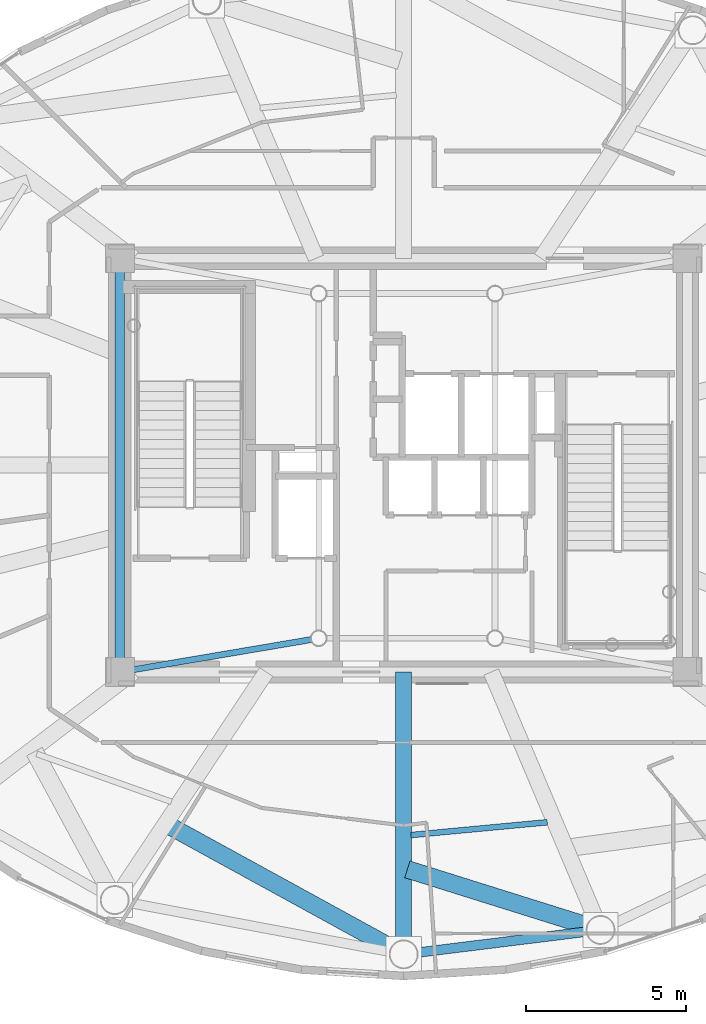
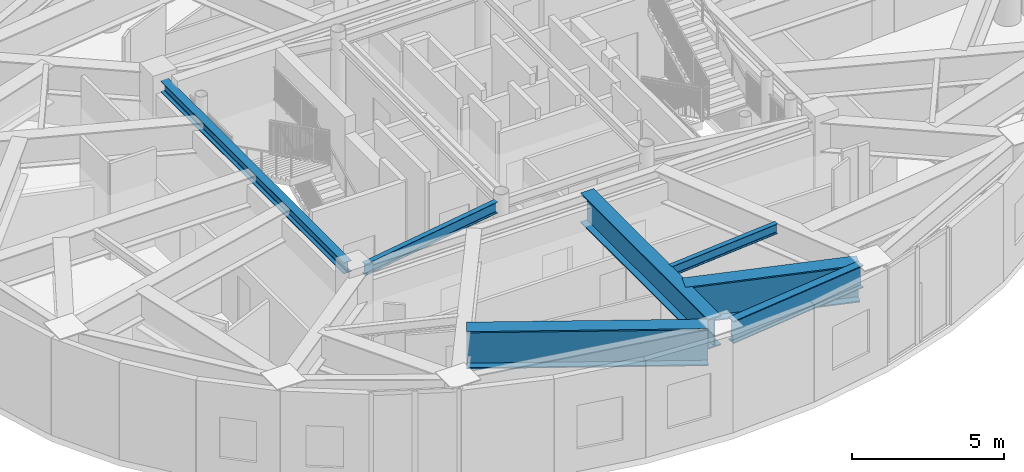
# One storey, part 5 of 23: 7 beams.
"""IFC4 building model written with IfcOpenShell, lengths in metres."""

from ifc_helpers import new_model, si_unit, direction, frame, origin, origin_2d, place, context, subcontext, project, spatial, i_section, extrude, material, material_profile, profile_set, type_object, element, save


model = new_model("IFC4")

# Units and contexts
model_context = context("Model", 3, precision=1e-05, world=origin(), true_north=direction((0.0, 1.0)))
body_context = subcontext(model_context, "Body", "Model", "MODEL_VIEW")
ifc_project = project(units=[si_unit("LENGTHUNIT", "METRE"), si_unit("AREAUNIT", "SQUARE_METRE"), si_unit("VOLUMEUNIT", "CUBIC_METRE"), si_unit("PLANEANGLEUNIT", "RADIAN"), si_unit("MASSUNIT", "GRAM", prefix="KILO")], contexts=[model_context])

# Site, building, storey
site_placement = place(None, origin())
site = spatial("IfcSite", under=ifc_project, at=site_placement, CompositionType="ELEMENT")
building_placement = place(site_placement, origin())
building = spatial("IfcBuilding", under=site, at=building_placement, Name="Linh Dai School and Residence Tower", CompositionType="ELEMENT")
storey_placement = place(building_placement, frame((0.0, 0.0, 359.39990234375)))
storey = spatial("IfcBuildingStorey", under=building, at=storey_placement, Name="L89", CompositionType="ELEMENT", Elevation=359.39990234375)

# Beams
ifc_material = material(Name="Structural Steel S355JR", Category="steel")
ifc_material_profile_1 = material_profile(ifc_material, i_section(OverallWidth=0.300048828125, OverallDepth=0.449951171875, WebThickness=0.013916015625, FlangeThickness=0.02587890625, FilletRadius=0.027099609375, at=origin_2d()), Name="HEB 450")
ifc_profile_set_1 = profile_set([ifc_material_profile_1], Name="Structural Steel S355JR")
beam_type_1 = type_object("IfcBeamType", Name="BM-RG45", PredefinedType="BEAM", material=ifc_profile_set_1)
beam_1_placement = place(storey_placement, frame((27.14990234375, 33.030029296875, 3.675048828125), z_axis=(0.0, -1.0, 0.0), x_axis=(1.0, 0.0, 0.0)))
element("IfcBeam", 1, at=beam_1_placement, inside=storey, type_object=beam_type_1, Name="L89 Core Perimeter Coupling Girder 4", PredefinedType="BEAM", context=body_context, shape_type="SweptSolid", body=[
    extrude(i_section(OverallWidth=0.300048828125, OverallDepth=0.449951171875, WebThickness=0.013916015625, FlangeThickness=0.02587890625, FilletRadius=0.027099609375, at=origin_2d()), origin(), (0.0, 0.0, 1.0), 12.06005859375),
])
ifc_material_profile_2 = material_profile(ifc_material, i_section(OverallWidth=0.300048828125, OverallDepth=0.89990234375, WebThickness=0.0185546875, FlangeThickness=0.034912109375, FilletRadius=0.030029296875, at=origin_2d()), Name="HEB 900")
ifc_profile_set_2 = profile_set([ifc_material_profile_2], Name="Structural Steel S355JR")
beam_type_2 = type_object("IfcBeamType", Name="BM-RG9", PredefinedType="BEAM", material=ifc_profile_set_2)
beam_2_placement = place(storey_placement, frame((36.416748046875, 11.796630859375, 3.4501953125), z_axis=(0.992398979221, 0.123062041428, 0.0), x_axis=(-0.123062041428, 0.992398979221, 0.0)))
element("IfcBeam", 2, at=beam_2_placement, inside=storey, type_object=beam_type_2, Name="L89 Perimeter Elliptical Ring Beam 13", PredefinedType="BEAM", context=body_context, shape_type="SweptSolid", body=[
    extrude(i_section(OverallWidth=0.300048828125, OverallDepth=0.89990234375, WebThickness=0.0185546875, FlangeThickness=0.034912109375, FilletRadius=0.030029296875, at=origin_2d()), origin(), (0.0, 0.0, 1.0), 5.344482421875),
])
ifc_material_profile_3 = material_profile(ifc_material, i_section(OverallWidth=0.179931640625, OverallDepth=0.39990234375, WebThickness=0.008544921875, FlangeThickness=0.013427734375, FilletRadius=0.02099609375, at=origin_2d()), Name="IPE 400")
ifc_profile_set_3 = profile_set([ifc_material_profile_3], Name="Structural Steel S355JR")
beam_type_3 = type_object("IfcBeamType", Name="BM-SB40", PredefinedType="BEAM", material=ifc_profile_set_3)
beam_3_placement = place(storey_placement, frame((36.22900390625, 15.464599609375, 3.7001953125), z_axis=(0.995632232168, 0.093361974425, 0.0), x_axis=(-0.093361974425, 0.995632232168, 0.0)))
element("IfcBeam", 3, at=beam_3_placement, inside=storey, type_object=beam_type_3, Name="L89 Secondary Circumferential Floor Beam 07", PredefinedType="BEAM", context=body_context, shape_type="SweptSolid", body=[
    extrude(i_section(OverallWidth=0.179931640625, OverallDepth=0.39990234375, WebThickness=0.008544921875, FlangeThickness=0.013427734375, FilletRadius=0.02099609375, at=origin_2d()), origin(), (0.0, 0.0, 1.0), 4.267578125),
])
ifc_material_profile_4 = material_profile(ifc_material, i_section(OverallWidth=0.18994140625, OverallDepth=0.449951171875, WebThickness=0.009521484375, FlangeThickness=0.0146484375, FilletRadius=0.02099609375, at=origin_2d()), Name="IPE 450")
ifc_profile_set_4 = profile_set([ifc_material_profile_4], Name="Structural Steel S355JR")
beam_type_4 = type_object("IfcBeamType", Name="BM-SB45", PredefinedType="BEAM", material=ifc_profile_set_4)
beam_4_placement = place(storey_placement, frame((27.564208984375, 20.6201171875, 3.675048828125), z_axis=(0.98596270559, 0.166965694638, 0.0), x_axis=(-0.166965694638, 0.98596270559, 0.0)))
element("IfcBeam", 4, at=beam_4_placement, inside=storey, type_object=beam_type_4, Name="L89 Core Corner-to-Mast Pier Beam 1", PredefinedType="BEAM", context=body_context, shape_type="SweptSolid", body=[
    extrude(i_section(OverallWidth=0.18994140625, OverallDepth=0.449951171875, WebThickness=0.009521484375, FlangeThickness=0.0146484375, FilletRadius=0.02099609375, at=origin_2d()), origin(), (0.0, 0.0, 1.0), 5.644287109375),
])
ifc_material_profile_5 = material_profile(ifc_material, i_section(OverallWidth=0.5, OverallDepth=1.199951171875, WebThickness=0.02392578125, FlangeThickness=0.044921875, at=origin_2d()), Name="PG 1200x500x24x45")
ifc_profile_set_5 = profile_set([ifc_material_profile_5], Name="Structural Steel S355JR")
beam_type_5 = type_object("IfcBeamType", Name="BM-TG12", PredefinedType="BEAM", material=ifc_profile_set_5)
beam_5_placement = place(storey_placement, frame((36.0, 20.550048828125, 3.300048828125), z_axis=(0.0, -1.0, 0.0), x_axis=(1.0, 0.0, 0.0)))
element("IfcBeam", 5, at=beam_5_placement, inside=storey, type_object=beam_type_5, Name="L89 Radial Setback Transfer Girder 13", PredefinedType="BEAM", context=body_context, shape_type="SweptSolid", body=[
    extrude(i_section(OverallWidth=0.5, OverallDepth=1.199951171875, WebThickness=0.02392578125, FlangeThickness=0.044921875, at=origin_2d()), origin(), (0.0, 0.0, 1.0), 8.385009765625),
])
ifc_material_profile_6 = material_profile(ifc_material, i_section(OverallWidth=0.550048828125, OverallDepth=1.5, WebThickness=0.028076171875, FlangeThickness=0.050048828125, at=origin_2d()), Name="PG 1500x550x28x50")
ifc_profile_set_6 = profile_set([ifc_material_profile_6], Name="Structural Steel S355JR")
beam_type_6 = type_object("IfcBeamType", Name="BM-TG15", PredefinedType="BEAM", material=ifc_profile_set_6)
beam_6_placement = place(storey_placement, frame((28.657958984375, 15.77099609375, 3.150146484375), z_axis=(0.87683411606, -0.480793025025, 0.0), x_axis=(0.480793025025, 0.87683411606, 0.0)))
element("IfcBeam", 6, at=beam_6_placement, inside=storey, type_object=beam_type_6, Name="L89 Setback Diaphragm Transfer Girder 12", PredefinedType="BEAM", context=body_context, shape_type="SweptSolid", body=[
    extrude(i_section(OverallWidth=0.550048828125, OverallDepth=1.5, WebThickness=0.028076171875, FlangeThickness=0.050048828125, at=origin_2d()), origin(), (0.0, 0.0, 1.0), 7.953369140625),
])
beam_7_placement = place(storey_placement, frame((36.114501953125, 14.39501953125, 3.150146484375), z_axis=(0.954179431628, -0.29923504517, 0.0), x_axis=(0.29923504517, 0.954179431628, 0.0)))
element("IfcBeam", 7, at=beam_7_placement, inside=storey, type_object=beam_type_6, Name="L89 Setback Diaphragm Transfer Girder 13", PredefinedType="BEAM", context=body_context, shape_type="SweptSolid", body=[
    extrude(i_section(OverallWidth=0.550048828125, OverallDepth=1.5, WebThickness=0.028076171875, FlangeThickness=0.050048828125, at=origin_2d()), origin(), (0.0, 0.0, 1.0), 5.892333984375),
])

save(model, "model.ifc")
